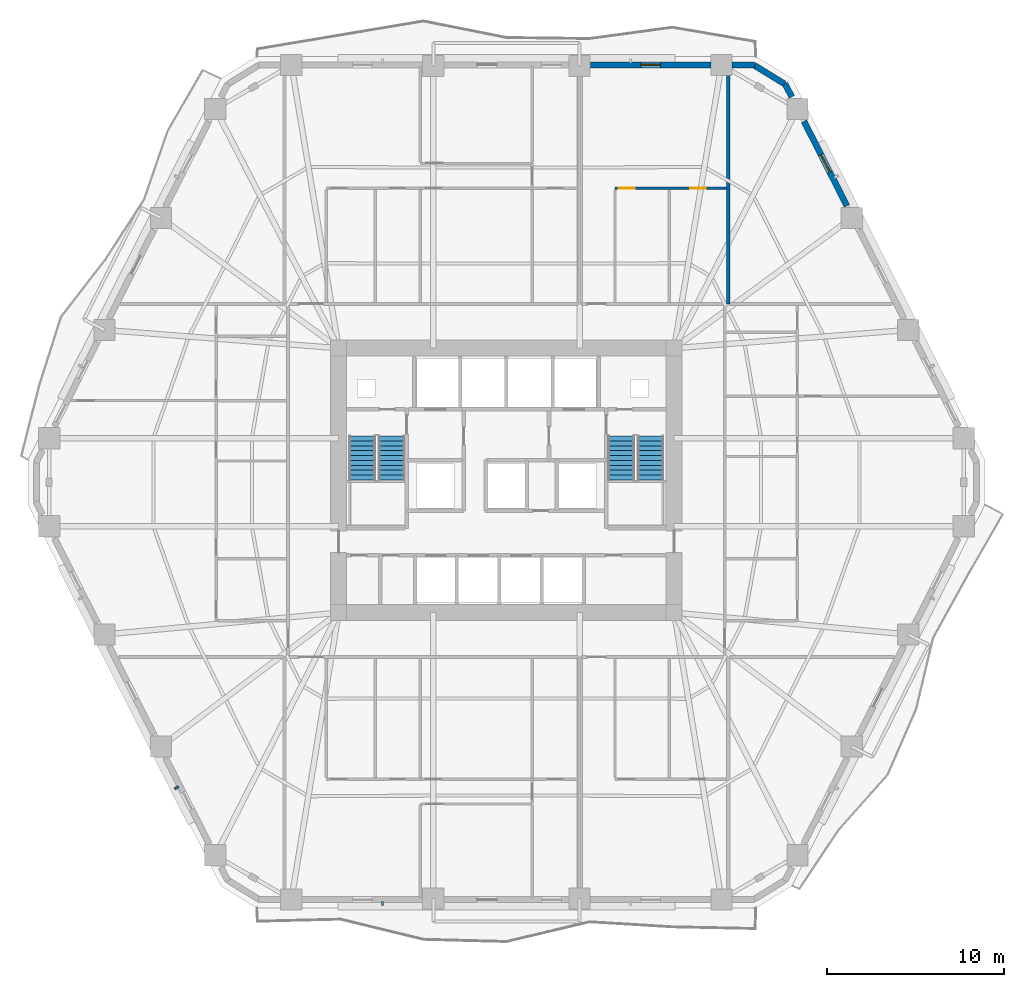
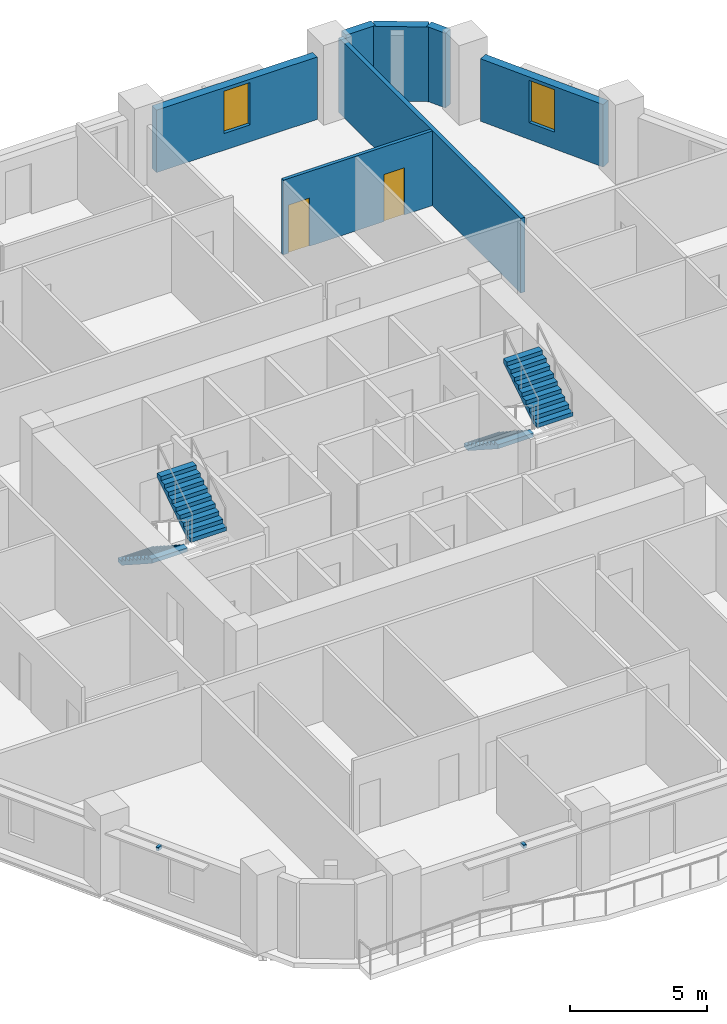
# One storey, part 8 of 14: 7 walls, 4 stair flights, 2 discrete accessories, 2 doors, 2 windows, 4 openings, 2 elements without a shape of their own.
"""IFC4 building model written with IfcOpenShell, lengths in metres."""

from ifc_helpers import new_model, si_unit, direction, frame, frame_2d, origin, origin_2d, place, context, subcontext, project, spatial, polyline, rectangle, outline, extrude, material, layer, layer_set, type_object, element, fill, aggregate, save


model = new_model("IFC4")

# Units and contexts
model_context = context("Model", 3, precision=1e-05, world=origin(), true_north=direction((0.0, 1.0)))
body_context = subcontext(model_context, "Body", "Model", "MODEL_VIEW")
ifc_project = project(units=[si_unit("LENGTHUNIT", "METRE"), si_unit("AREAUNIT", "SQUARE_METRE"), si_unit("VOLUMEUNIT", "CUBIC_METRE"), si_unit("PLANEANGLEUNIT", "RADIAN"), si_unit("MASSUNIT", "GRAM", prefix="KILO")], contexts=[model_context])

# Site, building, storey
site_placement = place(None, origin())
site = spatial("IfcSite", under=ifc_project, at=site_placement, CompositionType="ELEMENT")
building_placement = place(site_placement, origin())
building = spatial("IfcBuilding", under=site, at=building_placement, Name="Cinnabar Lancet Tower", CompositionType="ELEMENT")
storey_placement = place(building_placement, frame((0.0, 0.0, 53.300048828125)))
storey = spatial("IfcBuildingStorey", under=building, at=storey_placement, Name="L13", CompositionType="ELEMENT", Elevation=53.300048828125)

# Wall
ifc_material_1 = material(Name="Fire-rated twin-frame acoustic drywall", Category="gypsum")
ifc_layer_1 = layer(ifc_material_1, 0.179931640625)
ifc_layer_set_1 = layer_set([ifc_layer_1], Name="Fire-rated twin-frame acoustic drywall")
wall_type_1 = type_object("IfcWallType", Name="ARC-WL-PARTY-180", PredefinedType="PARTITIONING", material=ifc_layer_set_1)
wall_1_placement = place(storey_placement, frame((44.89990234375, 35.85009765625, 0.0), z_axis=(0.0, 0.0, 1.0), x_axis=(0.0, 1.0, 0.0)))
element("IfcWall", 1, at=wall_1_placement, inside=storey, type_object=wall_type_1, Name="PW-L13-NPTY-449", PredefinedType="PARTITIONING", context=body_context, shape_type="SweptSolid", body=[
    extrude(rectangle(XDim=13.294921875, YDim=0.179931640625, at=frame_2d((6.6474609375, 0.0))), origin(), (0.0, 0.0, 1.0), 3.329833984375),
])

# Wall, openings, doors
ifc_material_2 = material(Name="Moisture-resistant cement-board plumbing wall", Category="masonry")
ifc_layer_2 = layer(ifc_material_2, 0.139892578125)
ifc_layer_set_2 = layer_set([ifc_layer_2], Name="Moisture-resistant cement-board plumbing wall")
wall_type_2 = type_object("IfcWallType", Name="ARC-WL-WET-140", PredefinedType="PLUMBINGWALL", material=ifc_layer_set_2)
wall_2_placement = place(storey_placement, frame((38.52197265625, 42.364990234375, 0.0), z_axis=(0.0, 0.0, 1.0), x_axis=(1.0, 0.0, 0.0)))
wall_2 = element("IfcWall", 2, at=wall_2_placement, inside=storey, type_object=wall_type_2, Name="UW-L13-N02-SPL", PredefinedType="PLUMBINGWALL", context=body_context, shape_type="SweptSolid", body=[
    extrude(rectangle(XDim=6.282958984375, YDim=0.139892578125, at=frame_2d((3.1416015625, 0.0))), origin(), (0.0, 0.0, 1.0), 3.329833984375),
])
opening_1_placement = place(wall_2_placement, frame((4.2470703125, 0.0, 0.0)))
opening_1 = element("IfcOpeningElement", 3, at=opening_1_placement, cuts=wall_2, Name="Opening BD-01", PredefinedType="OPENING", context=body_context, shape_type="SweptSolid", body=[
    extrude(rectangle(XDim=0.860107421875, YDim=2.10009765625, at=frame_2d((0.43017578125, 1.050048828125))), frame((0.0, 0.079833984375, 0.0), z_axis=(0.0, -1.0, 0.0), x_axis=(1.0, 0.0, 0.0)), (0.0, 0.0, 1.0), 0.159912109375),
])
opening_2_placement = place(wall_2_placement, frame((0.219970703125, 0.0, 0.0)))
opening_2 = element("IfcOpeningElement", 4, at=opening_2_placement, cuts=wall_2, Name="Opening RD-02", PredefinedType="OPENING", context=body_context, shape_type="SweptSolid", body=[
    extrude(rectangle(XDim=0.8798828125, YDim=2.14990234375, at=frame_2d((0.43994140625, 1.074951171875))), frame((0.0, 0.079833984375, 0.0), z_axis=(0.0, -1.0, 0.0), x_axis=(1.0, 0.0, 0.0)), (0.0, 0.0, 1.0), 0.159912109375),
])
ifc_material_3 = material(Name="Moisture-resistant timber bathroom door", Category="wood")
door_type_1 = type_object("IfcDoorType", Name="ARC-DR-BATH", OperationType="NOTDEFINED", PredefinedType="DOOR", material=ifc_material_3)
door_1_placement = place(opening_1_placement, origin())
door_1 = element("IfcDoor", 5, at=door_1_placement, inside=storey, type_object=door_type_1, Name="DR-L13-N02-BTH", OperationType="SINGLE_SWING_LEFT", OverallHeight=2.10009765625, OverallWidth=0.860107421875, PredefinedType="DOOR", context=body_context, shape_type="SweptSolid", body=[
    extrude(rectangle(XDim=0.860107421875, YDim=2.10009765625, at=frame_2d((0.43017578125, 1.050048828125))), frame((0.0, 0.02490234375, 0.0), z_axis=(0.0, -1.0, 0.0), x_axis=(1.0, 0.0, 0.0)), (0.0, 0.0, 1.0), 0.050048828125),
])
fill(opening_1, door_1)
ifc_material_4 = material(Name="Engineered timber study door", Category="wood")
door_type_2 = type_object("IfcDoorType", Name="ARC-DR-STUDY", OperationType="NOTDEFINED", PredefinedType="DOOR", material=ifc_material_4)
door_2_placement = place(opening_2_placement, origin())
door_2 = element("IfcDoor", 6, at=door_2_placement, inside=storey, type_object=door_type_2, Name="DR-L13-N02-KIT", OperationType="SINGLE_SWING_RIGHT", OverallHeight=2.14990234375, OverallWidth=0.8798828125, PredefinedType="DOOR", context=body_context, shape_type="SweptSolid", body=[
    extrude(rectangle(XDim=0.8798828125, YDim=2.14990234375, at=frame_2d((0.43994140625, 1.074951171875))), frame((0.0, 0.02490234375, 0.0), z_axis=(0.0, -1.0, 0.0), x_axis=(1.0, 0.0, 0.0)), (0.0, 0.0, 1.0), 0.050048828125),
])
fill(opening_2, door_2)

# Wall
ifc_material_5 = material(Name="Cinnabar red clay brick", Category="masonry")
ifc_layer_3 = layer(ifc_material_5, 0.340087890625)
ifc_layer_set_3 = layer_set([ifc_layer_3], Name="Cinnabar red clay brick")
wall_type_3 = type_object("IfcWallType", Name="ENV-WL-BRK-RED-340", PredefinedType="STANDARD", material=ifc_layer_set_3)
wall_3_placement = place(storey_placement, frame((48.080078125, 48.238037109375, 0.0), z_axis=(0.0, 0.0, 1.0), x_axis=(-0.851870104345, 0.523753114857, 0.0)))
element("IfcWall", 7, at=wall_3_placement, inside=storey, type_object=wall_type_3, Name="L13 Chamfered Corner Brick Pier 4.1", PredefinedType="STANDARD", context=body_context, shape_type="SweptSolid", body=[
    extrude(rectangle(XDim=2.017822265625, YDim=0.340087890625, at=frame_2d((1.0087890625, 0.0))), origin(), (0.0, 0.0, 1.0), 3.329833984375),
])

# Wall, opening, window
wall_4_placement = place(storey_placement, frame((51.5830078125, 41.3720703125, 0.0), z_axis=(0.0, 0.0, 1.0), x_axis=(-0.451697561555, 0.892171123095, 0.0)))
wall_4 = element("IfcWall", 8, at=wall_4_placement, inside=storey, type_object=wall_type_3, Name="L13 Face 3 Masonry Bay Wall 4", PredefinedType="STANDARD", context=body_context, shape_type="SweptSolid", body=[
    extrude(rectangle(XDim=5.350830078125, YDim=0.340087890625, at=frame_2d((2.67529296875, 0.0))), origin(), (0.0, 0.0, 1.0), 2.786865234375),
])
opening_3_placement = place(wall_4_placement, frame((2.125, 0.0, 0.75)))
opening_3 = element("IfcOpeningElement", 9, at=opening_3_placement, cuts=wall_4, Name="Opening WN-04", PredefinedType="OPENING", context=body_context, shape_type="SweptSolid", body=[
    extrude(rectangle(XDim=1.10009765625, YDim=1.886962890625, at=frame_2d((0.550048828125, 0.943359375))), frame((0.0, 0.179931640625, 0.0), z_axis=(0.0, -1.0, 0.0), x_axis=(1.0, 0.0, 0.0)), (0.0, 0.0, 1.0), 0.360107421875),
])
ifc_material_6 = material(Name="Thermally broken bronze-anodized aluminium tall lancet window", Category="aluminium")
window_type = type_object("IfcWindowType", Name="ENV-WN-LANCET-1100", PartitioningType="SINGLE_PANEL", PredefinedType="WINDOW", material=ifc_material_6)
window_1_placement = place(opening_3_placement, origin())
window_1 = element("IfcWindow", 10, at=window_1_placement, inside=storey, type_object=window_type, Name="L13 Face 3 Gothic Lancet Window 4", OverallHeight=1.886962890625, OverallWidth=1.10009765625, PartitioningType="SINGLE_PANEL", PredefinedType="WINDOW", context=body_context, shape_type="SweptSolid", body=[
    extrude(rectangle(XDim=1.10009765625, YDim=1.886962890625, at=frame_2d((0.550048828125, 0.943359375))), frame((0.0, 0.030029296875, 0.0), z_axis=(0.0, -1.0, 0.0), x_axis=(1.0, 0.0, 0.0)), (0.0, 0.0, 1.0), 0.06005859375),
])
fill(opening_3, window_1)

# Walls
wall_5_placement = place(storey_placement, frame((48.47802734375, 47.508056640625, 0.0), z_axis=(0.0, 0.0, 1.0), x_axis=(-0.451995771866, 0.892020079491, 0.0)))
element("IfcWall", 11, at=wall_5_placement, inside=storey, type_object=wall_type_3, Name="L13 Face 3 Masonry Bay Wall 5", PredefinedType="STANDARD", context=body_context, shape_type="SweptSolid", body=[
    extrude(rectangle(XDim=0.836181640625, YDim=0.340087890625, at=frame_2d((0.41796875, 0.0))), origin(), (0.0, 0.0, 1.0), 3.329833984375),
])
wall_6_placement = place(storey_placement, frame((46.365966796875, 49.320068359375, 0.0), z_axis=(0.0, 0.0, 1.0), x_axis=(-1.0, 0.0, 0.0)))
element("IfcWall", 12, at=wall_6_placement, inside=storey, type_object=wall_type_3, Name="L13 Face 4 Masonry Bay Wall 1", PredefinedType="STANDARD", context=body_context, shape_type="SweptSolid", body=[
    extrude(rectangle(XDim=1.244873046875, YDim=0.340087890625, at=frame_2d((0.62255859375, 0.0))), origin(), (0.0, 0.0, 1.0), 3.329833984375),
])

# Wall, opening, window
wall_7_placement = place(storey_placement, frame((43.9130859375, 49.320068359375, 0.0), z_axis=(0.0, 0.0, 1.0), x_axis=(-1.0, 0.0, 0.0)))
wall_7 = element("IfcWall", 13, at=wall_7_placement, inside=storey, type_object=wall_type_3, Name="L13 Face 4 Masonry Bay Wall 2", PredefinedType="STANDARD", context=body_context, shape_type="SweptSolid", body=[
    extrude(rectangle(XDim=6.787109375, YDim=0.340087890625, at=frame_2d((3.3935546875, 0.0))), origin(), (0.0, 0.0, 1.0), 2.786865234375),
])
opening_4_placement = place(wall_7_placement, frame((2.843017578125, 0.0, 0.75)))
opening_4 = element("IfcOpeningElement", 14, at=opening_4_placement, cuts=wall_7, Name="Opening WN-04", PredefinedType="OPENING", context=body_context, shape_type="SweptSolid", body=[
    extrude(rectangle(XDim=1.10009765625, YDim=1.886962890625, at=frame_2d((0.550048828125, 0.943359375))), frame((0.0, 0.179931640625, 0.0), z_axis=(0.0, -1.0, 0.0), x_axis=(1.0, 0.0, 0.0)), (0.0, 0.0, 1.0), 0.360107421875),
])
window_2_placement = place(opening_4_placement, origin())
window_2 = element("IfcWindow", 15, at=window_2_placement, inside=storey, type_object=window_type, Name="L13 Face 4 Gothic Lancet Window 2", OverallHeight=1.886962890625, OverallWidth=1.10009765625, PartitioningType="SINGLE_PANEL", PredefinedType="WINDOW", context=body_context, shape_type="SweptSolid", body=[
    extrude(rectangle(XDim=1.10009765625, YDim=1.886962890625, at=frame_2d((0.550048828125, 0.943359375))), frame((0.0, 0.030029296875, 0.0), z_axis=(0.0, -1.0, 0.0), x_axis=(1.0, 0.0, 0.0)), (0.0, 0.0, 1.0), 0.06005859375),
])
fill(opening_4, window_2)

# Stair, stair flights
ifc_material_7 = material(Name="Concrete C40/50", Category="concrete")
stair_type = type_object("IfcStairType", Name="ST-CORE", PredefinedType="HALF_TURN_STAIR", material=ifc_material_7)
stair_1_placement = place(storey_placement, origin())
stair_1 = element("IfcStair", 16, at=stair_1_placement, inside=storey, type_object=stair_type, Name="L13 ST-1", PredefinedType="HALF_TURN_STAIR")
ifc_material_8 = material(Name="Concrete C40/50", Category="concrete")
stair_flight_type = type_object("IfcStairFlightType", Name="FLIGHT-CORE", PredefinedType="STRAIGHT", material=ifc_material_8)
stair_flight_1_placement = place(storey_placement, frame((24.27490234375, 28.39990234375, 0.0), z_axis=(0.0, 0.0, 1.0), x_axis=(0.0, -1.0, 0.0)))
stair_flight_1 = element("IfcStairFlight", 17, at=stair_flight_1_placement, type_object=stair_flight_type, Name="ST-1 flight 1", NumberOfRisers=10, NumberOfTreads=9, PredefinedType="STRAIGHT", RiserHeight=0.1775, TreadLength=0.275, context=body_context, shape_type="SweptSolid", body=[
    extrude(outline(polyline([(0.0, 0.0), (0.0, 0.177490234375), (0.27490234375, 0.177490234375), (0.27490234375, 0.35498046875), (0.550048828125, 0.35498046875), (0.550048828125, 0.532470703125), (0.824951171875, 0.532470703125), (0.824951171875, 0.7099609375), (1.10009765625, 0.7099609375), (1.10009765625, 0.887451171875), (1.375, 0.887451171875), (1.375, 1.06494140625), (1.64990234375, 1.06494140625), (1.64990234375, 1.242431640625), (1.925048828125, 1.242431640625), (1.925048828125, 1.419921875), (2.199951171875, 1.419921875), (2.199951171875, 1.597412109375), (2.47509765625, 1.597412109375), (2.47509765625, 1.77490234375), (2.47509765625, 1.419189453125), (0.2763671875, 0.0), (0.0, 0.0)])), frame((0.0, 0.75, 0.0), z_axis=(0.0, -1.0, 0.0), x_axis=(1.0, 0.0, 0.0)), (0.0, 0.0, 1.0), 1.5),
])
stair_flight_2_placement = place(storey_placement, frame((25.925048828125, 25.925048828125, 1.77490234375), z_axis=(0.0, 0.0, 1.0), x_axis=(0.0, 1.0, 0.0)))
stair_flight_2 = element("IfcStairFlight", 18, at=stair_flight_2_placement, type_object=stair_flight_type, Name="ST-1 flight 2", NumberOfRisers=10, NumberOfTreads=9, PredefinedType="STRAIGHT", RiserHeight=0.1775, TreadLength=0.275, context=body_context, shape_type="SweptSolid", body=[
    extrude(outline(polyline([(0.0, 0.0), (0.0, 0.177490234375), (0.27490234375, 0.177490234375), (0.27490234375, 0.35498046875), (0.550048828125, 0.35498046875), (0.550048828125, 0.532470703125), (0.824951171875, 0.532470703125), (0.824951171875, 0.7099609375), (1.10009765625, 0.7099609375), (1.10009765625, 0.887451171875), (1.375, 0.887451171875), (1.375, 1.06494140625), (1.64990234375, 1.06494140625), (1.64990234375, 1.242431640625), (1.925048828125, 1.242431640625), (1.925048828125, 1.419921875), (2.199951171875, 1.419921875), (2.199951171875, 1.597412109375), (2.47509765625, 1.597412109375), (2.47509765625, 1.77490234375), (2.47509765625, 1.419189453125), (0.2763671875, 0.0), (0.0, 0.0)])), frame((0.0, 0.75, 0.0), z_axis=(0.0, -1.0, 0.0), x_axis=(1.0, 0.0, 0.0)), (0.0, 0.0, 1.0), 1.5),
])
aggregate(stair_1, [stair_flight_1, stair_flight_2])

stair_2_placement = place(storey_placement, origin())
stair_2 = element("IfcStair", 19, at=stair_2_placement, inside=storey, type_object=stair_type, Name="L13 ST-2", PredefinedType="HALF_TURN_STAIR")
stair_flight_3_placement = place(storey_placement, frame((38.875, 28.39990234375, 0.0), z_axis=(0.0, 0.0, 1.0), x_axis=(0.0, -1.0, 0.0)))
stair_flight_3 = element("IfcStairFlight", 20, at=stair_flight_3_placement, type_object=stair_flight_type, Name="ST-2 flight 1", NumberOfRisers=10, NumberOfTreads=9, PredefinedType="STRAIGHT", RiserHeight=0.1775, TreadLength=0.275, context=body_context, shape_type="SweptSolid", body=[
    extrude(outline(polyline([(0.0, 0.0), (0.0, 0.177490234375), (0.27490234375, 0.177490234375), (0.27490234375, 0.35498046875), (0.550048828125, 0.35498046875), (0.550048828125, 0.532470703125), (0.824951171875, 0.532470703125), (0.824951171875, 0.7099609375), (1.10009765625, 0.7099609375), (1.10009765625, 0.887451171875), (1.375, 0.887451171875), (1.375, 1.06494140625), (1.64990234375, 1.06494140625), (1.64990234375, 1.242431640625), (1.925048828125, 1.242431640625), (1.925048828125, 1.419921875), (2.199951171875, 1.419921875), (2.199951171875, 1.597412109375), (2.47509765625, 1.597412109375), (2.47509765625, 1.77490234375), (2.47509765625, 1.419189453125), (0.2763671875, 0.0), (0.0, 0.0)])), frame((0.0, 0.75, 0.0), z_axis=(0.0, -1.0, 0.0), x_axis=(1.0, 0.0, 0.0)), (0.0, 0.0, 1.0), 1.5),
])
stair_flight_4_placement = place(storey_placement, frame((40.52490234375, 25.925048828125, 1.77490234375), z_axis=(0.0, 0.0, 1.0), x_axis=(0.0, 1.0, 0.0)))
stair_flight_4 = element("IfcStairFlight", 21, at=stair_flight_4_placement, type_object=stair_flight_type, Name="ST-2 flight 2", NumberOfRisers=10, NumberOfTreads=9, PredefinedType="STRAIGHT", RiserHeight=0.1775, TreadLength=0.275, context=body_context, shape_type="SweptSolid", body=[
    extrude(outline(polyline([(0.0, 0.0), (0.0, 0.177490234375), (0.27490234375, 0.177490234375), (0.27490234375, 0.35498046875), (0.550048828125, 0.35498046875), (0.550048828125, 0.532470703125), (0.824951171875, 0.532470703125), (0.824951171875, 0.7099609375), (1.10009765625, 0.7099609375), (1.10009765625, 0.887451171875), (1.375, 0.887451171875), (1.375, 1.06494140625), (1.64990234375, 1.06494140625), (1.64990234375, 1.242431640625), (1.925048828125, 1.242431640625), (1.925048828125, 1.419921875), (2.199951171875, 1.419921875), (2.199951171875, 1.597412109375), (2.47509765625, 1.597412109375), (2.47509765625, 1.77490234375), (2.47509765625, 1.419189453125), (0.2763671875, 0.0), (0.0, 0.0)])), frame((0.0, 0.75, 0.0), z_axis=(0.0, -1.0, 0.0), x_axis=(1.0, 0.0, 0.0)), (0.0, 0.0, 1.0), 1.5),
])
aggregate(stair_2, [stair_flight_3, stair_flight_4])

# Discrete accessories
ifc_material_9 = material(Name="Stainless steel 316 facade fixing bracket", Category="steel")
discrete_accessory_type = type_object("IfcDiscreteAccessoryType", Name="ENV-ACC-BRK-180", PredefinedType="BRACKET", material=ifc_material_9)
for number, where, z_axis, x_axis, name in (
    (22, (25.4169921875, 2.06005859375, 2.60009765625), (0.0, 0.0, 1.0), (1.0, 0.0, 0.0), "L13 Face 1 Sunshade Bracket A"),
    (23, (13.805908203125, 8.5791015625, 2.60009765625), (0.0, 0.0, 1.0), (0.451500573218, -0.892270829056, 0.0), "L13 Face 6 Sunshade Bracket B"),
):
    element("IfcDiscreteAccessory", number, at=place(storey_placement, frame(where, z_axis=z_axis, x_axis=x_axis)), inside=storey, type_object=discrete_accessory_type, Name=name, PredefinedType="BRACKET", context=body_context, shape_type="SweptSolid", body=[
        extrude(rectangle(XDim=0.1201171875, YDim=0.239990234375, at=origin_2d()), origin(), (0.0, 0.0, 1.0), 0.159912109375),
    ])

save(model, "model.ifc")
